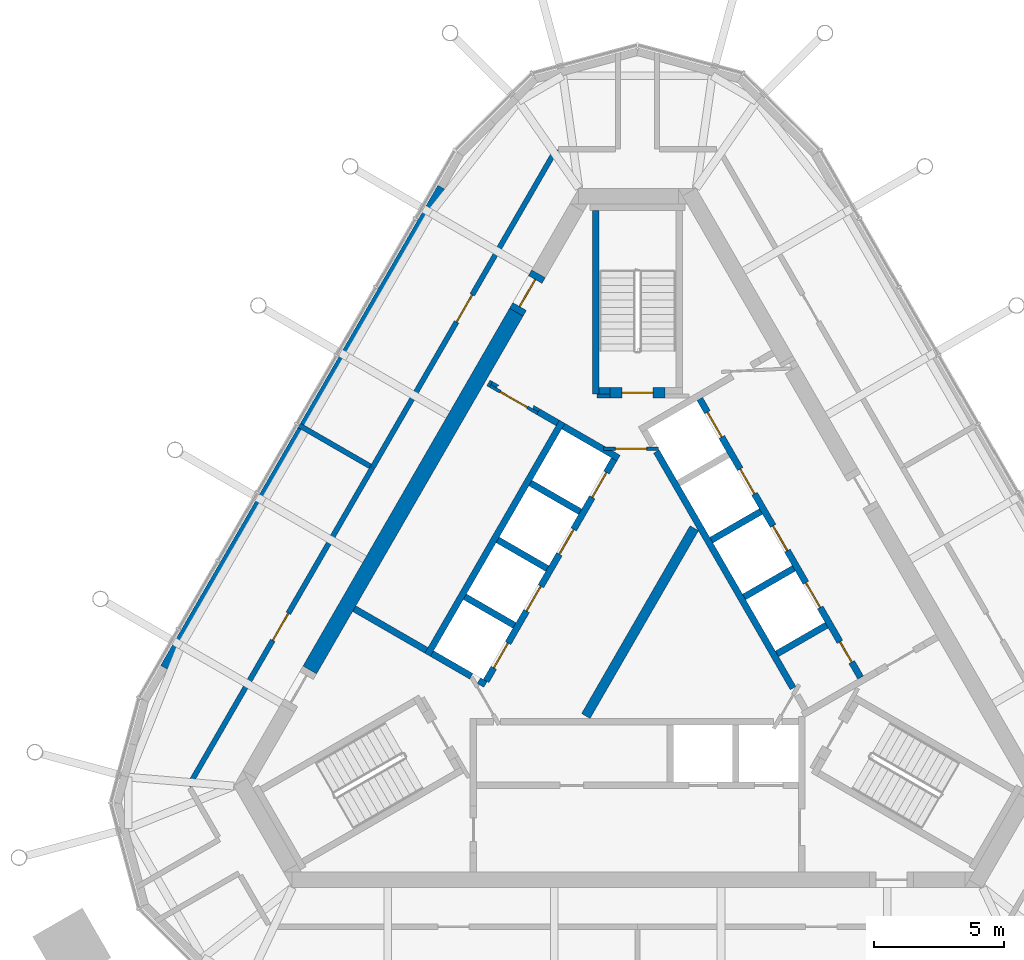
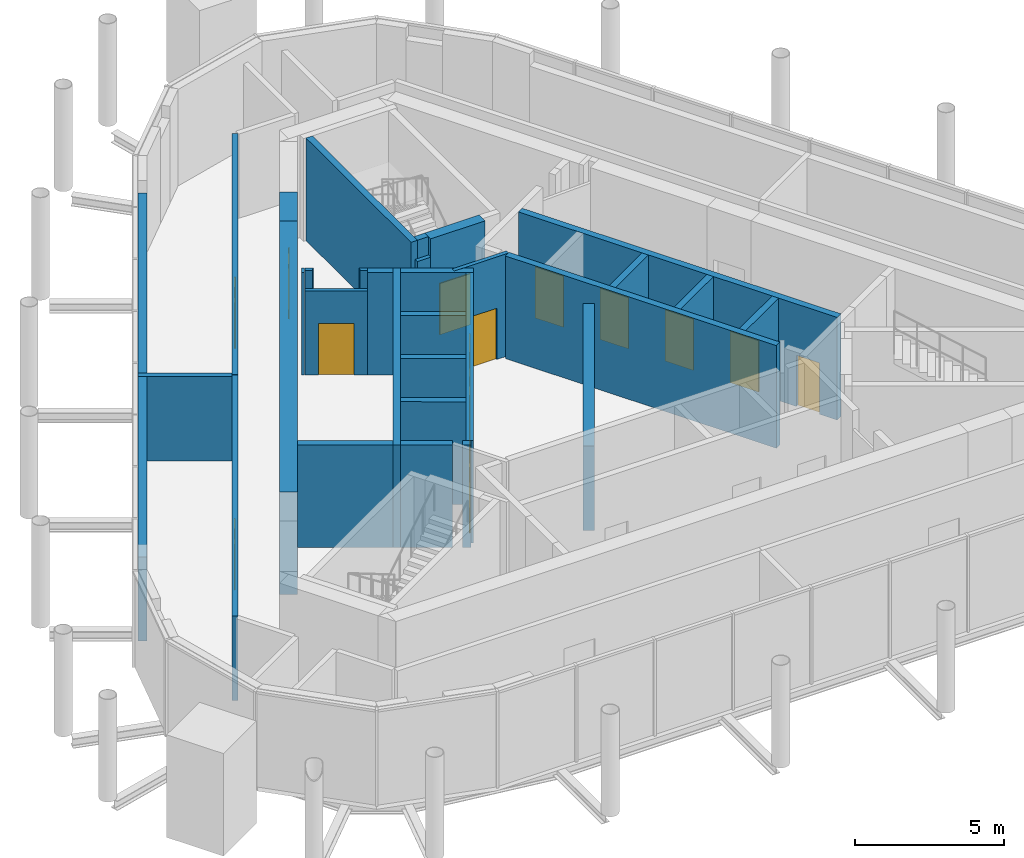
# One storey, part 8 of 11: 31 walls, 15 doors, 15 openings.
"""IFC4 building model written with IfcOpenShell, lengths in metres."""

from ifc_helpers import new_model, si_unit, direction, frame, frame_2d, origin, place, context, subcontext, project, spatial, polyline, rectangle, outline, extrude, material, layer, layer_set, type_object, element, fill, save


model = new_model("IFC4")

# Units and contexts
model_context = context("Model", 3, precision=1e-05, world=origin(), true_north=direction((0.0, 1.0)))
body_context = subcontext(model_context, "Body", "Model", "MODEL_VIEW")
ifc_project = project(units=[si_unit("LENGTHUNIT", "METRE"), si_unit("AREAUNIT", "SQUARE_METRE"), si_unit("VOLUMEUNIT", "CUBIC_METRE"), si_unit("PLANEANGLEUNIT", "RADIAN"), si_unit("MASSUNIT", "GRAM", prefix="KILO")], contexts=[model_context])

# Site, building, storey
site_placement = place(None, origin())
site = spatial("IfcSite", under=ifc_project, at=site_placement, CompositionType="ELEMENT")
building_placement = place(site_placement, origin())
building = spatial("IfcBuilding", under=site, at=building_placement, Name="Mestral Congress Tower", CompositionType="ELEMENT")
storey_placement = place(building_placement, frame((0.0, 0.0, 336.0)))
storey = spatial("IfcBuildingStorey", under=building, at=storey_placement, Name="L78", CompositionType="ELEMENT", Elevation=336.0)

# Walls
ifc_material_1 = material(Name="Fire-rated board partition")
ifc_layer_1 = layer(ifc_material_1, 0.14990234375)
ifc_layer_set_1 = layer_set([ifc_layer_1], Name="Fire-rated board partition")
wall_type_1 = type_object("IfcWallType", Name="Core partition 150", PredefinedType="PARTITIONING", material=ifc_layer_set_1)
wall_1_placement = place(storey_placement, frame((-1.56396484375, 8.62548828125, 0.0), z_axis=(0.0, 0.0, 1.0), x_axis=(1.0, 0.0, 0.0)))
element("IfcWall", 1, at=wall_1_placement, inside=storey, type_object=wall_type_1, Name="L78 core wall", PredefinedType="PARTITIONING", context=body_context, shape_type="SweptSolid", body=[
    extrude(rectangle(XDim=0.513916015625, YDim=0.14990234375, at=frame_2d((0.2568359375, 0.0))), origin(), (0.0, 0.0, 1.0), 3.449951171875),
])
placement = place(storey_placement, origin())
element("IfcWall", 2, at=placement, inside=storey, type_object=wall_type_1, Name="L78 core wall", PredefinedType="PARTITIONING", context=body_context, shape_type="SweptSolid", body=[
    extrude(outline(polyline([(2.016845703125, 3.64306640625), (2.341552734375, 3.45556640625), (-1.822021484375, -3.755615234375), (-2.146728515625, -3.568115234375), (2.016845703125, 3.64306640625)])), origin(), (0.0, 0.0, 1.0), 3.449951171875),
])

# Wall, opening, door
ifc_layer_2 = layer(ifc_material_1, 0.1201171875)
ifc_layer_set_2 = layer_set([ifc_layer_2], Name="Fire-rated board partition")
wall_type_2 = type_object("IfcWallType", Name="Core partition 150 door-wall 120", PredefinedType="PARTITIONING", material=ifc_layer_set_2)
wall_3_placement = place(storey_placement, frame((-5.65869140625, 9.01171875, 0.0), z_axis=(0.0, 0.0, 1.0), x_axis=(0.866009402589, -0.500027713859, 0.0)))
wall_3 = element("IfcWall", 3, at=wall_3_placement, inside=storey, type_object=wall_type_2, Name="L78 door wall", PredefinedType="PARTITIONING", context=body_context, shape_type="SweptSolid", body=[
    extrude(rectangle(XDim=2.10009765625, YDim=0.1201171875, at=frame_2d((1.050048828125, 0.0))), origin(), (0.0, 0.0, 1.0), 3.449951171875),
])
opening_1_placement = place(wall_3_placement, frame((0.449951171875, 0.0, 0.0)))
opening_1 = element("IfcOpeningElement", 4, at=opening_1_placement, cuts=wall_3, Name="Opening LB2-WL2", PredefinedType="OPENING", context=body_context, shape_type="SweptSolid", body=[
    extrude(rectangle(XDim=1.199951171875, YDim=2.10009765625, at=frame_2d((0.60009765625, 1.050048828125))), frame((0.0, 0.070068359375, 0.0), z_axis=(0.0, -1.0, 0.0), x_axis=(1.0, 0.0, 0.0)), (0.0, 0.0, 1.0), 0.14013671875),
])
ifc_material_2 = material(Name="Fire-rated steel door set", Category="steel")
door_type_1 = type_object("IfcDoorType", Name="Core door LB 1200x2100", OperationType="SINGLE_SWING_LEFT", PredefinedType="DOOR", material=ifc_material_2)
door_1_placement = place(opening_1_placement, origin())
door_1 = element("IfcDoor", 5, at=door_1_placement, inside=storey, type_object=door_type_1, Name="Door LB2-WL2", OperationType="SINGLE_SWING_LEFT", OverallHeight=2.10009765625, OverallWidth=1.199951171875, PredefinedType="DOOR", context=body_context, shape_type="SweptSolid", body=[
    extrude(rectangle(XDim=1.199951171875, YDim=2.10009765625, at=frame_2d((0.60009765625, 1.050048828125))), frame((0.0, 0.02490234375, 0.0), z_axis=(0.0, -1.0, 0.0), x_axis=(1.0, 0.0, 0.0)), (0.0, 0.0, 1.0), 0.050048828125),
])
fill(opening_1, door_1)

# Wall
ifc_material_3 = material(Name="Concrete C60/75", Category="concrete")
ifc_layer_3 = layer(ifc_material_3, 0.60009765625)
ifc_layer_set_3 = layer_set([ifc_layer_3], Name="Concrete C60/75")
wall_type_3 = type_object("IfcWallType", Name="Core wall RC 600", PredefinedType="SOLIDWALL", material=ifc_layer_set_3)
wall_4_placement = place(storey_placement, frame((-4.65234375, 11.841796875, 0.0), z_axis=(0.0, 0.0, 1.0), x_axis=(-0.500003640647, -0.866023301845, 0.0)))
element("IfcWall", 6, at=wall_4_placement, inside=storey, type_object=wall_type_3, Name="L78 core wall", PredefinedType="SOLIDWALL", context=body_context, shape_type="SweptSolid", body=[
    extrude(rectangle(XDim=15.8583984375, YDim=0.60009765625, at=frame_2d((7.92919921875, 0.0))), origin(), (0.0, 0.0, 1.0), 4.199951171875),
])

# Wall, opening, door
wall_5_placement = place(storey_placement, frame((-4.65234375, 11.842041015625, 0.0), z_axis=(0.0, 0.0, 1.0), x_axis=(0.500062241894, 0.865989465428, 0.0)))
wall_5 = element("IfcWall", 7, at=wall_5_placement, inside=storey, type_object=wall_type_3, Name="L78 door wall", PredefinedType="SOLIDWALL", context=body_context, shape_type="SweptSolid", body=[
    extrude(rectangle(XDim=1.699951171875, YDim=0.60009765625, at=frame_2d((0.85009765625, 0.0))), origin(), (0.0, 0.0, 1.0), 4.199951171875),
])
opening_2_placement = place(wall_5_placement, frame((0.25, 0.0, 0.0)))
opening_2 = element("IfcOpeningElement", 8, at=opening_2_placement, cuts=wall_5, Name="Opening XD2", PredefinedType="OPENING", context=body_context, shape_type="SweptSolid", body=[
    extrude(rectangle(XDim=1.199951171875, YDim=2.10009765625, at=frame_2d((0.60009765625, 1.050048828125))), frame((0.0, 0.31005859375, 0.0), z_axis=(0.0, -1.0, 0.0), x_axis=(1.0, 0.0, 0.0)), (0.0, 0.0, 1.0), 0.6201171875),
])
door_type_2 = type_object("IfcDoorType", Name="Core door XD 1200x2100", OperationType="SINGLE_SWING_LEFT", PredefinedType="DOOR", material=ifc_material_2)
door_2_placement = place(opening_2_placement, origin())
door_2 = element("IfcDoor", 9, at=door_2_placement, inside=storey, type_object=door_type_2, Name="Door XD2", OperationType="SINGLE_SWING_LEFT", OverallHeight=2.10009765625, OverallWidth=1.199951171875, PredefinedType="DOOR", context=body_context, shape_type="SweptSolid", body=[
    extrude(rectangle(XDim=1.199951171875, YDim=2.10009765625, at=frame_2d((0.60009765625, 1.050048828125))), frame((0.0, 0.02490234375, 0.0), z_axis=(0.0, -1.0, 0.0), x_axis=(1.0, 0.0, 0.0)), (0.0, 0.0, 1.0), 0.050048828125),
])
fill(opening_2, door_2)

# Walls
ifc_material_4 = material(Name="Precast concrete C40/50 with limestone facing", Category="masonry")
ifc_layer_4 = layer(ifc_material_4, 0.300048828125)
ifc_layer_set_4 = layer_set([ifc_layer_4], Name="Precast concrete C40/50 with limestone facing")
wall_type_4 = type_object("IfcWallType", Name="Crown plant block wall 300 under girder", PredefinedType="SOLIDWALL", material=ifc_layer_set_4)
wall_6_placement = place(storey_placement, frame((-7.5400390625, 16.64013671875, 0.0), z_axis=(0.0, 0.0, 1.0), x_axis=(-0.500002158106, -0.866024157798, 0.0)))
element("IfcWall", 10, at=wall_6_placement, inside=storey, type_object=wall_type_4, Name="Plant block wall 10", PredefinedType="SOLIDWALL", context=body_context, shape_type="SweptSolid", body=[
    extrude(rectangle(XDim=21.28173828125, YDim=0.300048828125, at=frame_2d((10.640869140625, 0.0))), origin(), (0.0, 0.0, 1.0), 3.449951171875),
])
ifc_layer_5 = layer(ifc_material_3, 0.25)
ifc_layer_set_5 = layer_set([ifc_layer_5], Name="Concrete C60/75")
wall_type_5 = type_object("IfcWallType", Name="Shaft wall RC 250", PredefinedType="SOLIDWALL", material=ifc_layer_set_5)
wall_7_placement = place(storey_placement, frame((5.970458984375, -2.591064453125, 0.0), z_axis=(0.0, 0.0, 1.0), x_axis=(-0.499994469932, 0.866028596547, 0.0)))
element("IfcWall", 11, at=wall_7_placement, inside=storey, type_object=wall_type_5, Name="L78 core wall", PredefinedType="SOLIDWALL", context=body_context, shape_type="SweptSolid", body=[
    extrude(rectangle(XDim=10.48828125, YDim=0.25, at=frame_2d((5.244140625, 0.0))), origin(), (0.0, 0.0, 1.0), 4.199951171875),
])
for number, where, z_axis, x_axis, name in (
    (12, (2.833984375, 3.091064453125, 0.0), (0.0, 0.0, 1.0), (0.866008176907, 0.50002983664, 0.0), "L78 core wall"),
    (13, (4.093994140625, 0.90869140625, 0.0), (0.0, 0.0, 1.0), (0.866008176907, 0.50002983664, 0.0), "L78 core wall"),
    (14, (5.35400390625, -1.273681640625, 0.0), (0.0, 0.0, 1.0), (0.866008176907, 0.50002983664, 0.0), "L78 core wall"),
):
    element("IfcWall", number, at=place(storey_placement, frame(where, z_axis=z_axis, x_axis=x_axis)), inside=storey, type_object=wall_type_5, Name=name, PredefinedType="SOLIDWALL", context=body_context, shape_type="SweptSolid", body=[
        extrude(rectangle(XDim=2.199951171875, YDim=0.25, at=frame_2d((1.10009765625, 0.0))), origin(), (0.0, 0.0, 1.0), 4.199951171875),
    ])
wall_8_placement = place(storey_placement, frame((-8.06005859375, -1.310546875, 0.0), z_axis=(0.0, 0.0, 1.0), x_axis=(0.50000273126, 0.866023826885, 0.0)))
element("IfcWall", 15, at=wall_8_placement, inside=storey, type_object=wall_type_5, Name="L78 core wall", PredefinedType="SOLIDWALL", context=body_context, shape_type="SweptSolid", body=[
    extrude(rectangle(XDim=10.330078125, YDim=0.25, at=frame_2d((5.1650390625, 0.0))), origin(), (0.0, 0.0, 1.0), 4.199951171875),
])
element("IfcWall", 16, at=placement, inside=storey, type_object=wall_type_5, Name="L78 core wall", PredefinedType="SOLIDWALL", context=body_context, shape_type="SweptSolid", body=[
    extrude(outline(polyline([(-2.911865234375, 7.3564453125), (-2.786865234375, 7.572998046875), (-1.231689453125, 6.675048828125), (-1.303466796875, 6.675048828125), (-1.3037109375, 6.675048828125), (-1.3037109375, 6.675048828125), (-1.3037109375, 6.52490234375), (-1.3037109375, 6.52490234375), (-1.303466796875, 6.52490234375), (-0.971435546875, 6.52490234375), (-0.6650390625, 6.347900390625), (-0.7900390625, 6.131591796875), (-1.006591796875, 6.256591796875), (-1.006591796875, 6.256591796875), (-2.911865234375, 7.3564453125)])), origin(), (0.0, 0.0, 1.0), 4.199951171875),
])
for number, where, z_axis, x_axis, name in (
    (17, (-2.2041015625, 4.182373046875, 0.0), (0.0, 0.0, 1.0), (-0.866008176907, 0.50002983664, 0.0), "L78 core wall"),
    (18, (-5.369384765625, 3.10009765625, 0.0), (0.0, 0.0, 1.0), (0.866008176907, -0.50002983664, 0.0), "L78 core wall"),
    (19, (-4.72412109375, -0.182373046875, 0.0), (0.0, 0.0, 1.0), (-0.866008176907, 0.50002983664, 0.0), "L78 core wall"),
):
    element("IfcWall", number, at=place(storey_placement, frame(where, z_axis=z_axis, x_axis=x_axis)), inside=storey, type_object=wall_type_5, Name=name, PredefinedType="SOLIDWALL", context=body_context, shape_type="SweptSolid", body=[
        extrude(rectangle(XDim=2.199951171875, YDim=0.25, at=frame_2d((1.10009765625, 0.0))), origin(), (0.0, 0.0, 1.0), 4.199951171875),
    ])
wall_10_placement = place(storey_placement, frame((-6.088134765625, -2.3046875, 0.0), z_axis=(0.0, 0.0, 1.0), x_axis=(0.866059450854, -0.499941024108, 0.0)))
element("IfcWall", 20, at=wall_10_placement, inside=storey, type_object=wall_type_5, Name="L78 core wall", PredefinedType="SOLIDWALL", context=body_context, shape_type="SweptSolid", body=[
    extrude(rectangle(XDim=0.2900390625, YDim=0.25, at=frame_2d((0.14501953125, 0.0))), origin(), (0.0, 0.0, 1.0), 4.199951171875),
])
wall_11_placement = place(storey_placement, frame((-7.889404296875, -1.2646484375, 0.0), z_axis=(0.0, 0.0, 1.0), x_axis=(0.865986741702, -0.500066958712, 0.0)))
element("IfcWall", 21, at=wall_11_placement, inside=storey, type_object=wall_type_5, Name="L78 core wall", PredefinedType="SOLIDWALL", context=body_context, shape_type="SweptSolid", body=[
    extrude(rectangle(XDim=1.738037109375, YDim=0.25, at=frame_2d((0.869140625, 0.0))), origin(), (0.0, 0.0, 1.0), 4.199951171875),
])
wall_12_placement = place(storey_placement, frame((-8.10595703125, -1.139892578125, 0.0), z_axis=(0.0, 0.0, 1.0), x_axis=(-0.866008981251, 0.500028443584, 0.0)))
element("IfcWall", 22, at=wall_12_placement, inside=storey, type_object=wall_type_5, Name="L78 core wall", PredefinedType="SOLIDWALL", context=body_context, shape_type="SweptSolid", body=[
    extrude(rectangle(XDim=3.199951171875, YDim=0.25, at=frame_2d((1.60009765625, 0.0))), origin(), (0.0, 0.0, 1.0), 4.199951171875),
])
wall_13_placement = place(storey_placement, frame((-5.724609375, 9.124755859375, 0.0), z_axis=(0.0, 0.0, 1.0), x_axis=(0.866185586049, -0.49972245349, 0.0)))
element("IfcWall", 23, at=wall_13_placement, inside=storey, type_object=wall_type_5, Name="L78 core wall", PredefinedType="SOLIDWALL", context=body_context, shape_type="SweptSolid", body=[
    extrude(rectangle(XDim=0.10986328125, YDim=0.25, at=frame_2d((0.054931640625, 0.0))), origin(), (0.0, 0.0, 1.0), 4.199951171875),
])
wall_14_placement = place(storey_placement, frame((-3.06591796875, 7.58984375, 0.0), z_axis=(0.0, 0.0, 1.0), x_axis=(-0.866081358704, 0.49990307071, 0.0)))
element("IfcWall", 24, at=wall_14_placement, inside=storey, type_object=wall_type_5, Name="L78 core wall", PredefinedType="SOLIDWALL", context=body_context, shape_type="SweptSolid", body=[
    extrude(rectangle(XDim=0.858154296875, YDim=0.25, at=frame_2d((0.42919921875, 0.0))), origin(), (0.0, 0.0, 1.0), 4.199951171875),
])
element("IfcWall", 25, at=placement, inside=storey, type_object=wall_type_5, Name="L78 core wall", PredefinedType="SOLIDWALL", context=body_context, shape_type="SweptSolid", body=[
    extrude(outline(polyline([(-3.748291015625, 8.1279296875), (-3.813232421875, 8.015380859375), (-4.026611328125, 8.138671875), (-4.0166015625, 8.156005859375), (-4.007568359375, 8.17333984375), (-4.000244140625, 8.191650390625), (-3.994873046875, 8.21044921875), (-3.991455078125, 8.229736328125), (-3.98974609375, 8.24951171875), (-3.989990234375, 8.267578125), (-3.748291015625, 8.1279296875)])), origin(), (0.0, 0.0, 1.0), 4.199951171875),
])
element("IfcWall", 26, at=placement, inside=storey, type_object=wall_type_5, Name="L78 core wall", PredefinedType="SOLIDWALL", context=body_context, shape_type="SweptSolid", body=[
    extrude(outline(polyline([(-5.688720703125, 8.959716796875), (-5.690185546875, 8.960693359375), (-5.565185546875, 9.177001953125), (-5.318603515625, 9.03466796875), (-5.334716796875, 9.02587890625), (-5.3505859375, 9.0146484375), (-5.36572265625, 9.001953125), (-5.37939453125, 8.98779296875), (-5.3916015625, 8.972412109375), (-5.402099609375, 8.955810546875), (-5.412109375, 8.938720703125), (-5.628662109375, 9.063720703125), (-5.628662109375, 9.063720703125), (-5.688720703125, 8.959716796875)])), origin(), (0.0, 0.0, 1.0), 4.199951171875),
])

# Wall, openings, doors
wall_17_placement = place(storey_placement, frame((8.565185546875, -2.185302734375, 0.0), z_axis=(0.0, 0.0, 1.0), x_axis=(-0.499997954832, 0.866026584559, 0.0)))
wall_17 = element("IfcWall", 27, at=wall_17_placement, inside=storey, type_object=wall_type_5, Name="L78 door wall", PredefinedType="SOLIDWALL", context=body_context, shape_type="SweptSolid", body=[
    extrude(rectangle(XDim=12.35009765625, YDim=0.25, at=frame_2d((6.175048828125, 0.0))), origin(), (0.0, 0.0, 1.0), 4.199951171875),
])
opening_3_placement = place(wall_17_placement, frame((0.68505859375, 0.0, 0.0)))
opening_3 = element("IfcOpeningElement", 28, at=opening_3_placement, cuts=wall_17, Name="Opening SR-NEB1", PredefinedType="OPENING", context=body_context, shape_type="SweptSolid", body=[
    extrude(rectangle(XDim=0.89990234375, YDim=2.10009765625, at=frame_2d((0.449951171875, 1.050048828125))), frame((0.0, 0.135009765625, 0.0), z_axis=(0.0, -1.0, 0.0), x_axis=(1.0, 0.0, 0.0)), (0.0, 0.0, 1.0), 0.27001953125),
])
opening_4_placement = place(wall_17_placement, frame((3.10498046875, 0.0, 0.0)))
opening_4 = element("IfcOpeningElement", 29, at=opening_4_placement, cuts=wall_17, Name="Opening LD-NEB2", PredefinedType="OPENING", context=body_context, shape_type="SweptSolid", body=[
    extrude(rectangle(XDim=1.10009765625, YDim=2.10009765625, at=frame_2d((0.550048828125, 1.050048828125))), frame((0.0, 0.135009765625, 0.0), z_axis=(0.0, -1.0, 0.0), x_axis=(1.0, 0.0, 0.0)), (0.0, 0.0, 1.0), 0.27001953125),
])
opening_5_placement = place(wall_17_placement, frame((5.625, 0.0, 0.0)))
opening_5 = element("IfcOpeningElement", 30, at=opening_5_placement, cuts=wall_17, Name="Opening LD-NEB3", PredefinedType="OPENING", context=body_context, shape_type="SweptSolid", body=[
    extrude(rectangle(XDim=1.10009765625, YDim=2.10009765625, at=frame_2d((0.550048828125, 1.050048828125))), frame((0.0, 0.135009765625, 0.0), z_axis=(0.0, -1.0, 0.0), x_axis=(1.0, 0.0, 0.0)), (0.0, 0.0, 1.0), 0.27001953125),
])
opening_6_placement = place(wall_17_placement, frame((8.14501953125, 0.0, 0.0)))
opening_6 = element("IfcOpeningElement", 31, at=opening_6_placement, cuts=wall_17, Name="Opening LD-NEB4", PredefinedType="OPENING", context=body_context, shape_type="SweptSolid", body=[
    extrude(rectangle(XDim=1.10009765625, YDim=2.10009765625, at=frame_2d((0.550048828125, 1.050048828125))), frame((0.0, 0.135009765625, 0.0), z_axis=(0.0, -1.0, 0.0), x_axis=(1.0, 0.0, 0.0)), (0.0, 0.0, 1.0), 0.27001953125),
])
opening_7_placement = place(wall_17_placement, frame((10.6650390625, 0.0, 0.0)))
opening_7 = element("IfcOpeningElement", 32, at=opening_7_placement, cuts=wall_17, Name="Opening LD-NEB5", PredefinedType="OPENING", context=body_context, shape_type="SweptSolid", body=[
    extrude(rectangle(XDim=1.10009765625, YDim=2.10009765625, at=frame_2d((0.550048828125, 1.050048828125))), frame((0.0, 0.135009765625, 0.0), z_axis=(0.0, -1.0, 0.0), x_axis=(1.0, 0.0, 0.0)), (0.0, 0.0, 1.0), 0.27001953125),
])
door_type_3 = type_object("IfcDoorType", Name="Core door LD 1100x2100", OperationType="DOUBLE_DOOR_SLIDING", PredefinedType="DOOR", material=ifc_material_2)
door_3_placement = place(opening_4_placement, origin())
door_3 = element("IfcDoor", 33, at=door_3_placement, inside=storey, type_object=door_type_3, Name="Door LD-NEB2", OperationType="DOUBLE_DOOR_SLIDING", OverallHeight=2.10009765625, OverallWidth=1.10009765625, PredefinedType="DOOR", context=body_context, shape_type="SweptSolid", body=[
    extrude(rectangle(XDim=1.10009765625, YDim=2.10009765625, at=frame_2d((0.550048828125, 1.050048828125))), frame((0.0, 0.02490234375, 0.0), z_axis=(0.0, -1.0, 0.0), x_axis=(1.0, 0.0, 0.0)), (0.0, 0.0, 1.0), 0.050048828125),
])
fill(opening_4, door_3)
door_4_placement = place(opening_5_placement, origin())
door_4 = element("IfcDoor", 34, at=door_4_placement, inside=storey, type_object=door_type_3, Name="Door LD-NEB3", OperationType="DOUBLE_DOOR_SLIDING", OverallHeight=2.10009765625, OverallWidth=1.10009765625, PredefinedType="DOOR", context=body_context, shape_type="SweptSolid", body=[
    extrude(rectangle(XDim=1.10009765625, YDim=2.10009765625, at=frame_2d((0.550048828125, 1.050048828125))), frame((0.0, 0.02490234375, 0.0), z_axis=(0.0, -1.0, 0.0), x_axis=(1.0, 0.0, 0.0)), (0.0, 0.0, 1.0), 0.050048828125),
])
fill(opening_5, door_4)
door_5_placement = place(opening_6_placement, origin())
door_5 = element("IfcDoor", 35, at=door_5_placement, inside=storey, type_object=door_type_3, Name="Door LD-NEB4", OperationType="DOUBLE_DOOR_SLIDING", OverallHeight=2.10009765625, OverallWidth=1.10009765625, PredefinedType="DOOR", context=body_context, shape_type="SweptSolid", body=[
    extrude(rectangle(XDim=1.10009765625, YDim=2.10009765625, at=frame_2d((0.550048828125, 1.050048828125))), frame((0.0, 0.02490234375, 0.0), z_axis=(0.0, -1.0, 0.0), x_axis=(1.0, 0.0, 0.0)), (0.0, 0.0, 1.0), 0.050048828125),
])
fill(opening_6, door_5)
door_6_placement = place(opening_7_placement, origin())
door_6 = element("IfcDoor", 36, at=door_6_placement, inside=storey, type_object=door_type_3, Name="Door LD-NEB5", OperationType="DOUBLE_DOOR_SLIDING", OverallHeight=2.10009765625, OverallWidth=1.10009765625, PredefinedType="DOOR", context=body_context, shape_type="SweptSolid", body=[
    extrude(rectangle(XDim=1.10009765625, YDim=2.10009765625, at=frame_2d((0.550048828125, 1.050048828125))), frame((0.0, 0.02490234375, 0.0), z_axis=(0.0, -1.0, 0.0), x_axis=(1.0, 0.0, 0.0)), (0.0, 0.0, 1.0), 0.050048828125),
])
fill(opening_7, door_6)
door_type_4 = type_object("IfcDoorType", Name="Core door SR 900x2100", OperationType="SINGLE_SWING_LEFT", PredefinedType="DOOR", material=ifc_material_2)
door_7_placement = place(opening_3_placement, origin())
door_7 = element("IfcDoor", 37, at=door_7_placement, inside=storey, type_object=door_type_4, Name="Door SR-NEB1", OperationType="SINGLE_SWING_LEFT", OverallHeight=2.10009765625, OverallWidth=0.89990234375, PredefinedType="DOOR", context=body_context, shape_type="SweptSolid", body=[
    extrude(rectangle(XDim=0.89990234375, YDim=2.10009765625, at=frame_2d((0.449951171875, 1.050048828125))), frame((0.0, 0.02490234375, 0.0), z_axis=(0.0, -1.0, 0.0), x_axis=(1.0, 0.0, 0.0)), (0.0, 0.0, 1.0), 0.050048828125),
])
fill(opening_3, door_7)

wall_18_placement = place(storey_placement, frame((-0.898193359375, 6.194091796875, 0.0), z_axis=(0.0, 0.0, 1.0), x_axis=(-0.499996202215, -0.866027596426, 0.0)))
wall_18 = element("IfcWall", 38, at=wall_18_placement, inside=storey, type_object=wall_type_5, Name="L78 door wall", PredefinedType="SOLIDWALL", context=body_context, shape_type="SweptSolid", body=[
    extrude(rectangle(XDim=9.830078125, YDim=0.25, at=frame_2d((4.9150390625, 0.0))), origin(), (0.0, 0.0, 1.0), 4.199951171875),
])
opening_8_placement = place(wall_18_placement, frame((0.5849609375, 0.0, 0.0)))
opening_8 = element("IfcOpeningElement", 39, at=opening_8_placement, cuts=wall_18, Name="Opening LD-NWB1", PredefinedType="OPENING", context=body_context, shape_type="SweptSolid", body=[
    extrude(rectangle(XDim=1.10009765625, YDim=2.10009765625, at=frame_2d((0.550048828125, 1.050048828125))), frame((0.0, 0.135009765625, 0.0), z_axis=(0.0, -1.0, 0.0), x_axis=(1.0, 0.0, 0.0)), (0.0, 0.0, 1.0), 0.27001953125),
])
opening_9_placement = place(wall_18_placement, frame((3.10498046875, 0.0, 0.0)))
opening_9 = element("IfcOpeningElement", 40, at=opening_9_placement, cuts=wall_18, Name="Opening LD-NWB2", PredefinedType="OPENING", context=body_context, shape_type="SweptSolid", body=[
    extrude(rectangle(XDim=1.10009765625, YDim=2.10009765625, at=frame_2d((0.550048828125, 1.050048828125))), frame((0.0, 0.135009765625, 0.0), z_axis=(0.0, -1.0, 0.0), x_axis=(1.0, 0.0, 0.0)), (0.0, 0.0, 1.0), 0.27001953125),
])
opening_10_placement = place(wall_18_placement, frame((5.625, 0.0, 0.0)))
opening_10 = element("IfcOpeningElement", 41, at=opening_10_placement, cuts=wall_18, Name="Opening LD-NWB3", PredefinedType="OPENING", context=body_context, shape_type="SweptSolid", body=[
    extrude(rectangle(XDim=1.10009765625, YDim=2.10009765625, at=frame_2d((0.550048828125, 1.050048828125))), frame((0.0, 0.135009765625, 0.0), z_axis=(0.0, -1.0, 0.0), x_axis=(1.0, 0.0, 0.0)), (0.0, 0.0, 1.0), 0.27001953125),
])
opening_11_placement = place(wall_18_placement, frame((8.14501953125, 0.0, 0.0)))
opening_11 = element("IfcOpeningElement", 42, at=opening_11_placement, cuts=wall_18, Name="Opening LD-NWB4", PredefinedType="OPENING", context=body_context, shape_type="SweptSolid", body=[
    extrude(rectangle(XDim=1.10009765625, YDim=2.10009765625, at=frame_2d((0.550048828125, 1.050048828125))), frame((0.0, 0.135009765625, 0.0), z_axis=(0.0, -1.0, 0.0), x_axis=(1.0, 0.0, 0.0)), (0.0, 0.0, 1.0), 0.27001953125),
])
door_8_placement = place(opening_8_placement, origin())
door_8 = element("IfcDoor", 43, at=door_8_placement, inside=storey, type_object=door_type_3, Name="Door LD-NWB1", OperationType="DOUBLE_DOOR_SLIDING", OverallHeight=2.10009765625, OverallWidth=1.10009765625, PredefinedType="DOOR", context=body_context, shape_type="SweptSolid", body=[
    extrude(rectangle(XDim=1.10009765625, YDim=2.10009765625, at=frame_2d((0.550048828125, 1.050048828125))), frame((0.0, 0.02490234375, 0.0), z_axis=(0.0, -1.0, 0.0), x_axis=(1.0, 0.0, 0.0)), (0.0, 0.0, 1.0), 0.050048828125),
])
fill(opening_8, door_8)
door_9_placement = place(opening_9_placement, origin())
door_9 = element("IfcDoor", 44, at=door_9_placement, inside=storey, type_object=door_type_3, Name="Door LD-NWB2", OperationType="DOUBLE_DOOR_SLIDING", OverallHeight=2.10009765625, OverallWidth=1.10009765625, PredefinedType="DOOR", context=body_context, shape_type="SweptSolid", body=[
    extrude(rectangle(XDim=1.10009765625, YDim=2.10009765625, at=frame_2d((0.550048828125, 1.050048828125))), frame((0.0, 0.02490234375, 0.0), z_axis=(0.0, -1.0, 0.0), x_axis=(1.0, 0.0, 0.0)), (0.0, 0.0, 1.0), 0.050048828125),
])
fill(opening_9, door_9)
door_10_placement = place(opening_10_placement, origin())
door_10 = element("IfcDoor", 45, at=door_10_placement, inside=storey, type_object=door_type_3, Name="Door LD-NWB3", OperationType="DOUBLE_DOOR_SLIDING", OverallHeight=2.10009765625, OverallWidth=1.10009765625, PredefinedType="DOOR", context=body_context, shape_type="SweptSolid", body=[
    extrude(rectangle(XDim=1.10009765625, YDim=2.10009765625, at=frame_2d((0.550048828125, 1.050048828125))), frame((0.0, 0.02490234375, 0.0), z_axis=(0.0, -1.0, 0.0), x_axis=(1.0, 0.0, 0.0)), (0.0, 0.0, 1.0), 0.050048828125),
])
fill(opening_10, door_10)
door_11_placement = place(opening_11_placement, origin())
door_11 = element("IfcDoor", 46, at=door_11_placement, inside=storey, type_object=door_type_3, Name="Door LD-NWB4", OperationType="DOUBLE_DOOR_SLIDING", OverallHeight=2.10009765625, OverallWidth=1.10009765625, PredefinedType="DOOR", context=body_context, shape_type="SweptSolid", body=[
    extrude(rectangle(XDim=1.10009765625, YDim=2.10009765625, at=frame_2d((0.550048828125, 1.050048828125))), frame((0.0, 0.02490234375, 0.0), z_axis=(0.0, -1.0, 0.0), x_axis=(1.0, 0.0, 0.0)), (0.0, 0.0, 1.0), 0.050048828125),
])
fill(opening_11, door_11)

# Wall, opening, door
ifc_layer_6 = layer(ifc_material_3, 0.14990234375)
ifc_layer_set_6 = layer_set([ifc_layer_6], Name="Concrete C60/75")
wall_type_6 = type_object("IfcWallType", Name="Shaft wall RC 250 door-wall 150", PredefinedType="SOLIDWALL", material=ifc_layer_set_6)
wall_19_placement = place(storey_placement, frame((-1.303466796875, 6.60009765625, 0.0), z_axis=(0.0, 0.0, 1.0), x_axis=(1.0, 0.0, 0.0)))
wall_19 = element("IfcWall", 47, at=wall_19_placement, inside=storey, type_object=wall_type_6, Name="L78 door wall", PredefinedType="PARTITIONING", context=body_context, shape_type="SweptSolid", body=[
    extrude(rectangle(XDim=2.099853515625, YDim=0.14990234375, at=frame_2d((1.0498046875, 0.0))), origin(), (0.0, 0.0, 1.0), 4.199951171875),
])
opening_12_placement = place(wall_19_placement, frame((0.449951171875, 0.0, 0.0)))
opening_12 = element("IfcOpeningElement", 48, at=opening_12_placement, cuts=wall_19, Name="Opening CD2-FF", PredefinedType="OPENING", context=body_context, shape_type="SweptSolid", body=[
    extrude(rectangle(XDim=1.199951171875, YDim=2.10009765625, at=frame_2d((0.60009765625, 1.050048828125))), frame((0.0, 0.0849609375, 0.0), z_axis=(0.0, -1.0, 0.0), x_axis=(1.0, 0.0, 0.0)), (0.0, 0.0, 1.0), 0.169921875),
])
door_type_5 = type_object("IfcDoorType", Name="Core door CD 1200x2100", OperationType="SINGLE_SWING_LEFT", PredefinedType="DOOR", material=ifc_material_2)
door_12_placement = place(opening_12_placement, origin())
door_12 = element("IfcDoor", 49, at=door_12_placement, inside=storey, type_object=door_type_5, Name="Door CD2-FF", OperationType="SINGLE_SWING_LEFT", OverallHeight=2.10009765625, OverallWidth=1.199951171875, PredefinedType="DOOR", context=body_context, shape_type="SweptSolid", body=[
    extrude(rectangle(XDim=1.199951171875, YDim=2.10009765625, at=frame_2d((0.60009765625, 1.050048828125))), frame((0.0, 0.02490234375, 0.0), z_axis=(0.0, -1.0, 0.0), x_axis=(1.0, 0.0, 0.0)), (0.0, 0.0, 1.0), 0.050048828125),
])
fill(opening_12, door_12)

ifc_material_5 = material(Name="Concrete block wall, plastered", Category="concrete")
ifc_layer_7 = layer(ifc_material_5, 0.199951171875)
ifc_layer_set_7 = layer_set([ifc_layer_7], Name="Concrete block wall, plastered")
wall_type_7 = type_object("IfcWallType", Name="Special partition 200 EI 120", PredefinedType="PARTITIONING", material=ifc_layer_set_7)
wall_20_placement = place(storey_placement, frame((-10.17578125, 5.875244140625, 0.0), z_axis=(0.0, 0.0, 1.0), x_axis=(-0.499989432091, -0.866031505083, 0.0)))
wall_20 = element("IfcWall", 50, at=wall_20_placement, inside=storey, type_object=wall_type_7, Name="Partition", PredefinedType="PARTITIONING", context=body_context, shape_type="SweptSolid", body=[
    extrude(rectangle(XDim=14.116455078125, YDim=0.199951171875, at=frame_2d((7.05810546875, 0.0))), origin(), (0.0, 0.0, 1.0), 3.449951171875),
])
opening_13_placement = place(wall_20_placement, frame((6.458251953125, 0.0, 0.0)))
opening_13 = element("IfcOpeningElement", 51, at=opening_13_placement, cuts=wall_20, Name="Opening K78-001", PredefinedType="OPENING", context=body_context, shape_type="SweptSolid", body=[
    extrude(rectangle(XDim=1.199951171875, YDim=2.10009765625, at=frame_2d((0.60009765625, 1.050048828125))), frame((0.0, 0.10986328125, 0.0), z_axis=(0.0, -1.0, 0.0), x_axis=(1.0, 0.0, 0.0)), (0.0, 0.0, 1.0), 0.219970703125),
])
door_type_6 = type_object("IfcDoorType", Name="Plant room door 1200x2100", OperationType="SINGLE_SWING_LEFT", PredefinedType="DOOR", material=ifc_material_2)
door_13_placement = place(opening_13_placement, origin())
door_13 = element("IfcDoor", 52, at=door_13_placement, inside=storey, type_object=door_type_6, Name="Door K78-001", OperationType="SINGLE_SWING_RIGHT", OverallHeight=2.10009765625, OverallWidth=1.199951171875, PredefinedType="DOOR", context=body_context, shape_type="SweptSolid", body=[
    extrude(rectangle(XDim=1.199951171875, YDim=2.10009765625, at=frame_2d((0.60009765625, 1.050048828125))), frame((0.0, 0.02490234375, 0.0), z_axis=(0.0, -1.0, 0.0), x_axis=(1.0, 0.0, 0.0)), (0.0, 0.0, 1.0), 0.050048828125),
])
fill(opening_13, door_13)

wall_21_placement = place(storey_placement, frame((-3.11767578125, 18.10009765625, 0.0), z_axis=(0.0, 0.0, 1.0), x_axis=(-0.499999609035, -0.866025629508, 0.0)))
wall_21 = element("IfcWall", 53, at=wall_21_placement, inside=storey, type_object=wall_type_7, Name="Partition", PredefinedType="PARTITIONING", context=body_context, shape_type="SweptSolid", body=[
    extrude(rectangle(XDim=14.1064453125, YDim=0.199951171875, at=frame_2d((7.05322265625, 0.0))), origin(), (0.0, 0.0, 1.0), 3.449951171875),
])
opening_14_placement = place(wall_21_placement, frame((6.453125, 0.0, 0.0)))
opening_14 = element("IfcOpeningElement", 54, at=opening_14_placement, cuts=wall_21, Name="Opening K78-006", PredefinedType="OPENING", context=body_context, shape_type="SweptSolid", body=[
    extrude(rectangle(XDim=1.199951171875, YDim=2.10009765625, at=frame_2d((0.60009765625, 1.050048828125))), frame((0.0, 0.10986328125, 0.0), z_axis=(0.0, -1.0, 0.0), x_axis=(1.0, 0.0, 0.0)), (0.0, 0.0, 1.0), 0.219970703125),
])
door_14_placement = place(opening_14_placement, origin())
door_14 = element("IfcDoor", 55, at=door_14_placement, inside=storey, type_object=door_type_6, Name="Door K78-006", OperationType="SINGLE_SWING_RIGHT", OverallHeight=2.10009765625, OverallWidth=1.199951171875, PredefinedType="DOOR", context=body_context, shape_type="SweptSolid", body=[
    extrude(rectangle(XDim=1.199951171875, YDim=2.10009765625, at=frame_2d((0.60009765625, 1.050048828125))), frame((0.0, 0.02490234375, 0.0), z_axis=(0.0, -1.0, 0.0), x_axis=(1.0, 0.0, 0.0)), (0.0, 0.0, 1.0), 0.050048828125),
])
fill(opening_14, door_14)

# Walls
wall_22_placement = place(storey_placement, frame((-12.990478515625, 7.5, 0.0), z_axis=(0.0, 0.0, 1.0), x_axis=(0.866035871367, -0.499981869177, 0.0)))
element("IfcWall", 56, at=wall_22_placement, inside=storey, type_object=wall_type_7, Name="Partition", PredefinedType="PARTITIONING", context=body_context, shape_type="SweptSolid", body=[
    extrude(rectangle(XDim=3.14990234375, YDim=0.199951171875, at=frame_2d((1.574951171875, 0.0))), origin(), (0.0, 0.0, 1.0), 3.449951171875),
])
ifc_layer_8 = layer(ifc_material_3, 0.25)
ifc_layer_set_8 = layer_set([ifc_layer_8], Name="Concrete C60/75")
wall_type_8 = type_object("IfcWallType", Name="Stair wall RC 250", PredefinedType="SOLIDWALL", material=ifc_layer_set_8)
wall_23_placement = place(storey_placement, frame((-1.60009765625, 8.699951171875, 0.0), z_axis=(0.0, 0.0, 1.0), x_axis=(0.0, 1.0, 0.0)))
element("IfcWall", 57, at=wall_23_placement, inside=storey, type_object=wall_type_8, Name="L78 core wall", PredefinedType="SOLIDWALL", context=body_context, shape_type="SweptSolid", body=[
    extrude(rectangle(XDim=7.050048828125, YDim=0.25, at=frame_2d((3.52490234375, 0.0))), origin(), (0.0, 0.0, 1.0), 4.199951171875),
])
wall_24_placement = place(storey_placement, frame((-1.47509765625, 8.824951171875, 0.0), z_axis=(0.0, 0.0, 1.0), x_axis=(1.0, 0.0, 0.0)))
element("IfcWall", 58, at=wall_24_placement, inside=storey, type_object=wall_type_8, Name="L78 core wall", PredefinedType="SOLIDWALL", context=body_context, shape_type="SweptSolid", body=[
    extrude(rectangle(XDim=0.425048828125, YDim=0.25, at=frame_2d((0.21240234375, 0.0))), origin(), (0.0, 0.0, 1.0), 4.199951171875),
])

# Wall, opening, door
ifc_layer_9 = layer(ifc_material_3, 0.39990234375)
ifc_layer_set_9 = layer_set([ifc_layer_9], Name="Concrete C60/75")
wall_type_9 = type_object("IfcWallType", Name="Stair wall RC 250 door-wall 400", PredefinedType="SOLIDWALL", material=ifc_layer_set_9)
wall_25_placement = place(storey_placement, frame((1.050048828125, 8.75, 0.0), z_axis=(0.0, 0.0, 1.0), x_axis=(-1.0, 0.0, 0.0)))
wall_25 = element("IfcWall", 59, at=wall_25_placement, inside=storey, type_object=wall_type_9, Name="L78 door wall", PredefinedType="SOLIDWALL", context=body_context, shape_type="SweptSolid", body=[
    extrude(rectangle(XDim=2.10009765625, YDim=0.39990234375, at=frame_2d((1.050048828125, 0.0))), origin(), (0.0, 0.0, 1.0), 4.199951171875),
])
opening_15_placement = place(wall_25_placement, frame((0.449951171875, 0.0, 0.0)))
opening_15 = element("IfcOpeningElement", 60, at=opening_15_placement, cuts=wall_25, Name="Opening ST-D2", PredefinedType="OPENING", context=body_context, shape_type="SweptSolid", body=[
    extrude(rectangle(XDim=1.199951171875, YDim=2.10009765625, at=frame_2d((0.60009765625, 1.050048828125))), frame((0.0, 0.2099609375, 0.0), z_axis=(0.0, -1.0, 0.0), x_axis=(1.0, 0.0, 0.0)), (0.0, 0.0, 1.0), 0.419921875),
])
door_type_7 = type_object("IfcDoorType", Name="Core door ST 1200x2100", OperationType="SINGLE_SWING_LEFT", PredefinedType="DOOR", material=ifc_material_2)
door_15_placement = place(opening_15_placement, origin())
door_15 = element("IfcDoor", 61, at=door_15_placement, inside=storey, type_object=door_type_7, Name="Door ST-D2", OperationType="SINGLE_SWING_LEFT", OverallHeight=2.10009765625, OverallWidth=1.199951171875, PredefinedType="DOOR", context=body_context, shape_type="SweptSolid", body=[
    extrude(rectangle(XDim=1.199951171875, YDim=2.10009765625, at=frame_2d((0.60009765625, 1.050048828125))), frame((0.0, 0.02490234375, 0.0), z_axis=(0.0, -1.0, 0.0), x_axis=(1.0, 0.0, 0.0)), (0.0, 0.0, 1.0), 0.050048828125),
])
fill(opening_15, door_15)

save(model, "model.ifc")
